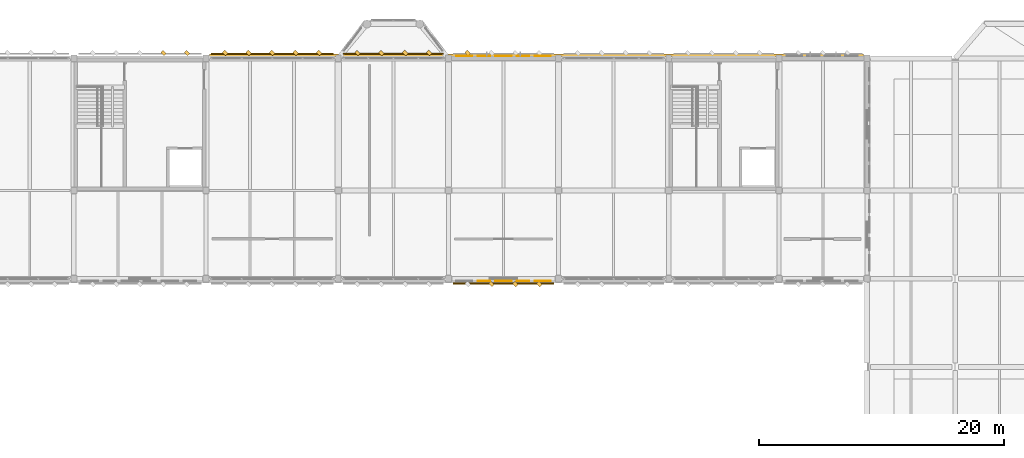
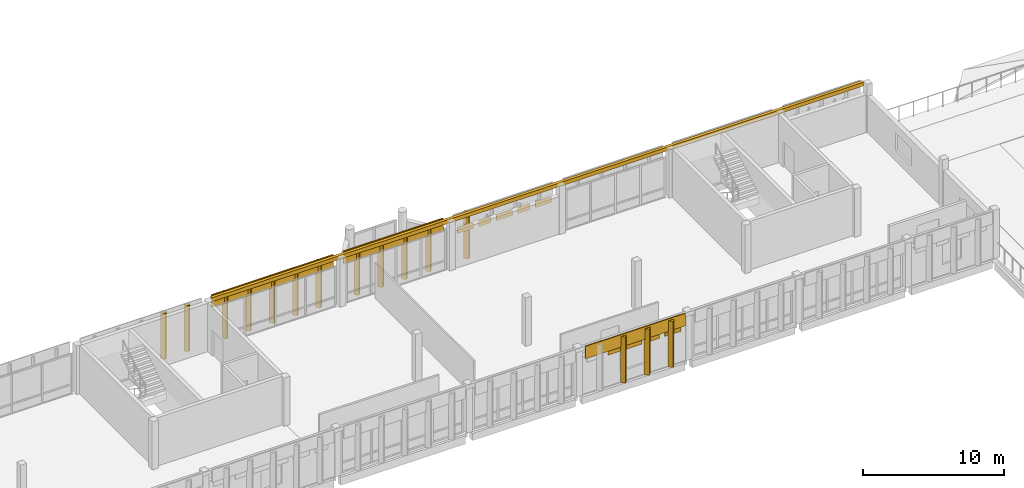
# One storey, part 69 of 72: 28 coverings.
"""IFC4 building model written with IfcOpenShell, lengths in metres."""

from ifc_helpers import new_model, si_unit, direction, frame, origin, origin_2d, place, context, subcontext, project, spatial, rectangle, extrude, material, layer, layer_set, type_object, element, save


model = new_model("IFC4")

# Units and contexts
model_context = context("Model", 3, precision=1e-05, world=origin(), true_north=direction((0.0, 1.0)))
body_context = subcontext(model_context, "Body", "Model", "MODEL_VIEW")
ifc_project = project(units=[si_unit("LENGTHUNIT", "METRE"), si_unit("AREAUNIT", "SQUARE_METRE"), si_unit("VOLUMEUNIT", "CUBIC_METRE"), si_unit("PLANEANGLEUNIT", "RADIAN"), si_unit("MASSUNIT", "GRAM", prefix="KILO")], contexts=[model_context])

# Site, building, storey
site_placement = place(None, origin())
site = spatial("IfcSite", under=ifc_project, at=site_placement, CompositionType="ELEMENT")
building_placement = place(site_placement, origin())
building = spatial("IfcBuilding", under=site, at=building_placement, Name="Lusvemor Sports Hall", CompositionType="ELEMENT")
storey_placement = place(building_placement, frame((0.0, 0.0, 15.0)))
storey = spatial("IfcBuildingStorey", under=building, at=storey_placement, Name="L03", CompositionType="ELEMENT", Elevation=15.0)

# Coverings
ifc_material_1 = material(Name="Precast granite-faced Concrete C40/50 architectural cladding", Category="masonry")
ifc_layer_1 = layer(ifc_material_1, 0.055908203125)
ifc_layer_set_1 = layer_set([ifc_layer_1], Name="Precast granite-faced Concrete C40/50 architectural cladding")
covering_type_1 = type_object("IfcCoveringType", Name="CLAD_RELIEF_FRIEZE", PredefinedType="CLADDING", material=ifc_layer_set_1)
covering_1_placement = place(storey_placement, frame((91.800048828125, 115.419921875, 3.8798828125), z_axis=(0.0, 0.0, 1.0), x_axis=(1.0, 0.0, 0.0)))
element("IfcCovering", 1, at=covering_1_placement, inside=storey, type_object=covering_type_1, Name="Art Nouveau Sculpted Roofline Cornice 803", PredefinedType="CLADDING", context=body_context, shape_type="SweptSolid", body=[
    extrude(rectangle(XDim=53.39990234375, YDim=0.239990234375, at=origin_2d()), origin(), (0.0, 0.0, 1.0), 0.320068359375),
])
ifc_material_2 = material(Name="Emerald polychrome glazed ceramic cladding on Concrete C40/50 backing", Category="concrete")
ifc_layer_2 = layer(ifc_material_2, 0.0458984375)
ifc_layer_set_2 = layer_set([ifc_layer_2], Name="Emerald polychrome glazed ceramic cladding on Concrete C40/50 backing")
covering_type_2 = type_object("IfcCoveringType", Name="CLAD_WAVE_EMERALD", PredefinedType="CLADDING", material=ifc_layer_set_2)
for number, where, z_axis, x_axis, name in (
    (2, (85.89990234375, 115.39794921875, 2.669921875), (0.0, 0.0, 1.0), (1.0, 0.0, 0.0), "Art Nouveau Patterned Cladding PS-EW-L03-N-1-8-1"),
    (3, (89.10009765625, 115.39794921875, 2.669921875), (0.0, 0.0, 1.0), (1.0, 0.0, 0.0), "Art Nouveau Patterned Cladding PS-EW-L03-N-1-8-3"),
    (4, (92.300048828125, 115.39794921875, 2.669921875), (0.0, 0.0, 1.0), (1.0, 0.0, 0.0), "Art Nouveau Patterned Cladding PS-EW-L03-N-1-8-5"),
    (5, (89.10009765625, 97.001953125, 2.669921875), (0.0, 0.0, 1.0), (1.0, 0.0, 0.0), "Art Nouveau Patterned Cladding PS-EW-L03-S-3-6-3"),
    (6, (92.300048828125, 97.001953125, 2.669921875), (0.0, 0.0, 1.0), (1.0, 0.0, 0.0), "Art Nouveau Patterned Cladding PS-EW-L03-S-3-6-5"),
):
    element("IfcCovering", number, at=place(storey_placement, frame(where, z_axis=z_axis, x_axis=x_axis)), inside=storey, type_object=covering_type_2, Name=name, PredefinedType="CLADDING", context=body_context, shape_type="SweptSolid", body=[
        extrude(rectangle(XDim=1.31201171875, YDim=0.0458984375, at=origin_2d()), origin(), (0.0, 0.0, 1.0), 0.510009765625),
    ])
for number, where, z_axis, x_axis, name in (
    (7, (61.320068359375, 115.639892578125, 0.10009765625), (0.0, 0.0, 1.0), (0.707106781187, 0.707106781187, 0.0), "Patterned Diamond Cladding Rib 668"),
    (8, (68.280029296875, 115.639892578125, 0.10009765625), (0.0, 0.0, 1.0), (0.707106781187, 0.707106781187, 0.0), "Patterned Diamond Cladding Rib 703"),
    (9, (72.1201171875, 115.639892578125, 0.10009765625), (0.0, 0.0, 1.0), (0.707106781187, 0.707106781187, 0.0), "Patterned Diamond Cladding Rib 705"),
    (10, (79.125, 115.639892578125, 0.10009765625), (0.0, 0.0, 1.0), (0.707106781187, 0.707106781187, 0.0), "Patterned Diamond Cladding Rib 724"),
    (11, (83.02490234375, 115.639892578125, 0.10009765625), (0.0, 0.0, 1.0), (0.707106781187, 0.707106781187, 0.0), "Patterned Diamond Cladding Rib 726"),
    (12, (88.125, 96.760009765625, 0.10009765625), (0.0, 0.0, 1.0), (0.707106781187, 0.707106781187, 0.0), "Patterned Diamond Cladding Rib 1319"),
    (13, (92.02490234375, 96.760009765625, 0.10009765625), (0.0, 0.0, 1.0), (0.707106781187, 0.707106781187, 0.0), "Patterned Diamond Cladding Rib 1321"),
):
    element("IfcCovering", number, at=place(storey_placement, frame(where, z_axis=z_axis, x_axis=x_axis)), inside=storey, type_object=covering_type_2, Name=name, PredefinedType="CLADDING", context=body_context, shape_type="SweptSolid", body=[
        extrude(rectangle(XDim=0.280029296875, YDim=0.3798828125, at=origin_2d()), origin(), (0.0, 0.0, 1.0), 4.0),
    ])
ifc_material_3 = material(Name="Warm terracotta Art Nouveau ceramic cladding on Concrete C40/50 backing", Category="masonry")
ifc_layer_3 = layer(ifc_material_3, 0.0380859375)
ifc_layer_set_3 = layer_set([ifc_layer_3], Name="Warm terracotta Art Nouveau ceramic cladding on Concrete C40/50 backing")
covering_type_3 = type_object("IfcCoveringType", Name="CLAD_WAVE_OCHRE", PredefinedType="CLADDING", material=ifc_layer_set_3)
for number, where, z_axis, x_axis, name in (
    (14, (87.5, 115.39404296875, 2.669921875), (0.0, 0.0, 1.0), (1.0, 0.0, 0.0), "Art Nouveau Patterned Cladding PS-EW-L03-N-1-8-2"),
    (15, (90.699951171875, 115.39404296875, 2.669921875), (0.0, 0.0, 1.0), (1.0, 0.0, 0.0), "Art Nouveau Patterned Cladding PS-EW-L03-N-1-8-4"),
    (16, (87.5, 97.006103515625, 2.669921875), (0.0, 0.0, 1.0), (1.0, 0.0, 0.0), "Art Nouveau Patterned Cladding PS-EW-L03-S-3-6-2"),
    (17, (90.699951171875, 97.006103515625, 2.669921875), (0.0, 0.0, 1.0), (1.0, 0.0, 0.0), "Art Nouveau Patterned Cladding PS-EW-L03-S-3-6-4"),
):
    element("IfcCovering", number, at=place(storey_placement, frame(where, z_axis=z_axis, x_axis=x_axis)), inside=storey, type_object=covering_type_3, Name=name, PredefinedType="CLADDING", context=body_context, shape_type="SweptSolid", body=[
        extrude(rectangle(XDim=1.02392578125, YDim=0.0380859375, at=origin_2d()), origin(), (0.0, 0.0, 1.0), 0.510009765625),
    ])
covering_2_placement = place(storey_placement, frame((70.199951171875, 115.590087890625, 3.179931640625), z_axis=(0.0, 0.0, 1.0), x_axis=(1.0, 0.0, 0.0)))
element("IfcCovering", 18, at=covering_2_placement, inside=storey, type_object=covering_type_3, Name="Art Nouveau Spandrel Cornice 701", PredefinedType="CLADDING", context=body_context, shape_type="SweptSolid", body=[
    extrude(rectangle(XDim=9.97998046875, YDim=0.090087890625, at=origin_2d()), origin(), (0.0, 0.0, 1.0), 1.080078125),
])
for number, where, z_axis, x_axis, name in (
    (19, (80.10009765625, 115.590087890625, 3.179931640625), (0.0, 0.0, 1.0), (1.0, 0.0, 0.0), "Art Nouveau Spandrel Cornice 722"),
    (20, (89.10009765625, 96.81005859375, 3.179931640625), (0.0, 0.0, 1.0), (1.0, 0.0, 0.0), "Art Nouveau Spandrel Cornice 1317"),
):
    element("IfcCovering", number, at=place(storey_placement, frame(where, z_axis=z_axis, x_axis=x_axis)), inside=storey, type_object=covering_type_3, Name=name, PredefinedType="CLADDING", context=body_context, shape_type="SweptSolid", body=[
        extrude(rectangle(XDim=8.179931640625, YDim=0.090087890625, at=origin_2d()), origin(), (0.0, 0.0, 1.0), 1.080078125),
    ])
ifc_material_4 = material(Name="Warm terracotta Art Nouveau ceramic cladding on Concrete C40/50 backing", Category="masonry")
ifc_layer_4 = layer(ifc_material_4, 0.449951171875)
ifc_layer_set_4 = layer_set([ifc_layer_4], Name="Warm terracotta Art Nouveau ceramic cladding on Concrete C40/50 backing")
covering_type_4 = type_object("IfcCoveringType", Name="FIN_BRISE_CER_450", PredefinedType="MOLDING", material=ifc_layer_set_4)
for number, where, z_axis, x_axis, name in (
    (21, (63.239990234375, 115.639892578125, 0.10009765625), (0.0, 0.0, 1.0), (0.707106781187, 0.707106781187, 0.0), "Patterned Diamond Cladding Rib 669"),
    (22, (66.360107421875, 115.639892578125, 0.10009765625), (0.0, 0.0, 1.0), (0.707106781187, 0.707106781187, 0.0), "Patterned Diamond Cladding Rib 702"),
    (23, (70.199951171875, 115.639892578125, 0.10009765625), (0.0, 0.0, 1.0), (0.707106781187, 0.707106781187, 0.0), "Patterned Diamond Cladding Rib 704"),
    (24, (74.0400390625, 115.639892578125, 0.10009765625), (0.0, 0.0, 1.0), (0.707106781187, 0.707106781187, 0.0), "Patterned Diamond Cladding Rib 706"),
    (25, (77.175048828125, 115.639892578125, 0.10009765625), (0.0, 0.0, 1.0), (0.707106781187, 0.707106781187, 0.0), "Patterned Diamond Cladding Rib 723"),
    (26, (81.074951171875, 115.639892578125, 0.10009765625), (0.0, 0.0, 1.0), (0.707106781187, 0.707106781187, 0.0), "Patterned Diamond Cladding Rib 725"),
    (27, (86.175048828125, 115.639892578125, 0.10009765625), (0.0, 0.0, 1.0), (0.707106781187, 0.707106781187, 0.0), "Patterned Diamond Cladding Rib 743"),
    (28, (90.074951171875, 96.760009765625, 0.10009765625), (0.0, 0.0, 1.0), (0.707106781187, 0.707106781187, 0.0), "Patterned Diamond Cladding Rib 1320"),
):
    element("IfcCovering", number, at=place(storey_placement, frame(where, z_axis=z_axis, x_axis=x_axis)), inside=storey, type_object=covering_type_4, Name=name, PredefinedType="MOLDING", context=body_context, shape_type="SweptSolid", body=[
        extrude(rectangle(XDim=0.280029296875, YDim=0.3798828125, at=origin_2d()), origin(), (0.0, 0.0, 1.0), 4.0),
    ])

save(model, "model.ifc")
